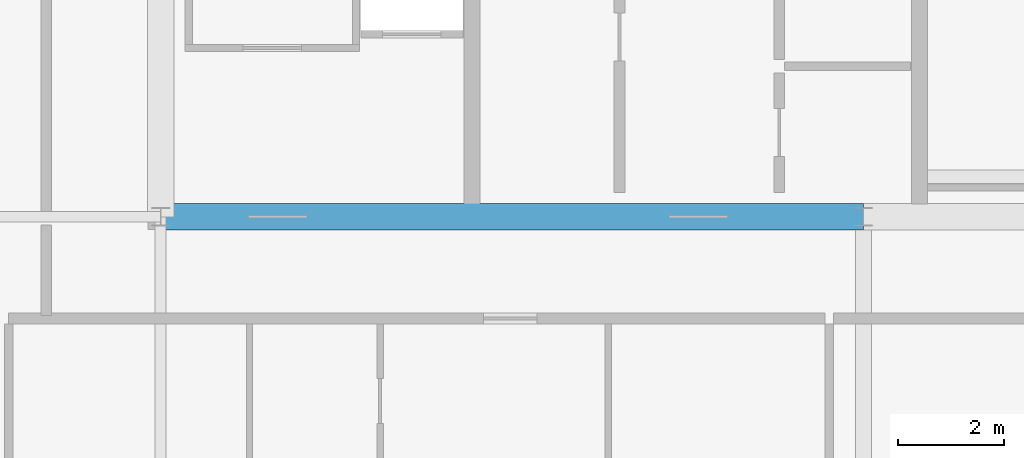
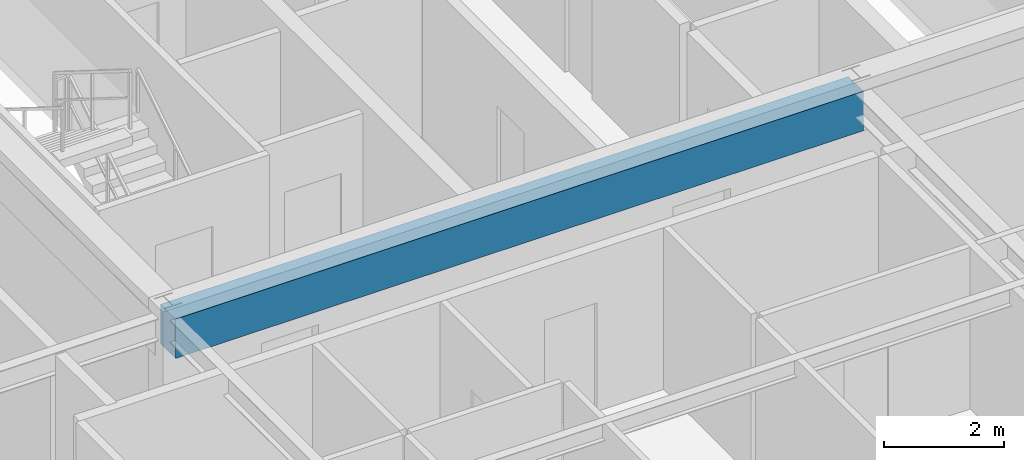
# One storey, part 7 of 35: 1 beam.
"""IFC4 building model written with IfcOpenShell, lengths in metres."""

from ifc_helpers import new_model, si_unit, direction, frame, origin, origin_2d, place, context, subcontext, project, spatial, rectangle, extrude, source, transform, mapped, material, material_profile, profile_set, type_object, element, save


model = new_model("IFC4")

# Units and contexts
model_context = context("Model", 3, precision=1e-05, world=origin(), true_north=direction((0.0, 1.0)))
body_context = subcontext(model_context, "Body", "Model", "MODEL_VIEW")
ifc_project = project(units=[si_unit("LENGTHUNIT", "METRE"), si_unit("AREAUNIT", "SQUARE_METRE"), si_unit("VOLUMEUNIT", "CUBIC_METRE"), si_unit("PLANEANGLEUNIT", "RADIAN"), si_unit("MASSUNIT", "GRAM", prefix="KILO"), si_unit("THERMODYNAMICTEMPERATUREUNIT", "KELVIN"), si_unit("POWERUNIT", "WATT")], contexts=[model_context])

# Site, building, storey
site_placement = place(None, origin())
site = spatial("IfcSite", under=ifc_project, at=site_placement, CompositionType="ELEMENT")
building_placement = place(site_placement, origin())
building = spatial("IfcBuilding", under=site, at=building_placement, Name="Yuzanri Waterfront Tower", CompositionType="ELEMENT")
storey_placement = place(building_placement, frame((0.0, 0.0, 299.60009765625)))
storey = spatial("IfcBuildingStorey", under=building, at=storey_placement, Name="L80", CompositionType="ELEMENT", Elevation=299.60009765625)

# Beam
ifc_material = material(Name="Concrete C50", Category="concrete")
ifc_material_profile = material_profile(ifc_material, rectangle(XDim=0.5, YDim=0.800048828125, at=origin_2d()), Name="RC 500x800")
ifc_profile_set = profile_set([ifc_material_profile], Name="Concrete C50")
beam_type = type_object("IfcBeamType", Name="Core Coupling Lintel Concrete C50 500x800", PredefinedType="LINTEL", material=ifc_profile_set)
shared_shape = source(origin(), body_context, "Body", "SweptSolid", [
    extrude(rectangle(XDim=0.5, YDim=0.800048828125, at=origin_2d()), origin(), (0.0, 0.0, 1.0), 13.199951171875),
])
beam_placement = place(storey_placement, frame((23.800048828125, 19.39990234375, 2.8798828125), z_axis=(1.0, 0.0, 0.0), x_axis=(0.0, 1.0, 0.0)))
element("IfcBeam", 1, at=beam_placement, inside=storey, type_object=beam_type, Name="L80 Core Tie Beam CS1", PredefinedType="LINTEL", context=body_context, shape_type="MappedRepresentation", body=[
    mapped(shared_shape, transform((0.0, 0.0, 0.0), scale=1.0)),
])

save(model, "model.ifc")
